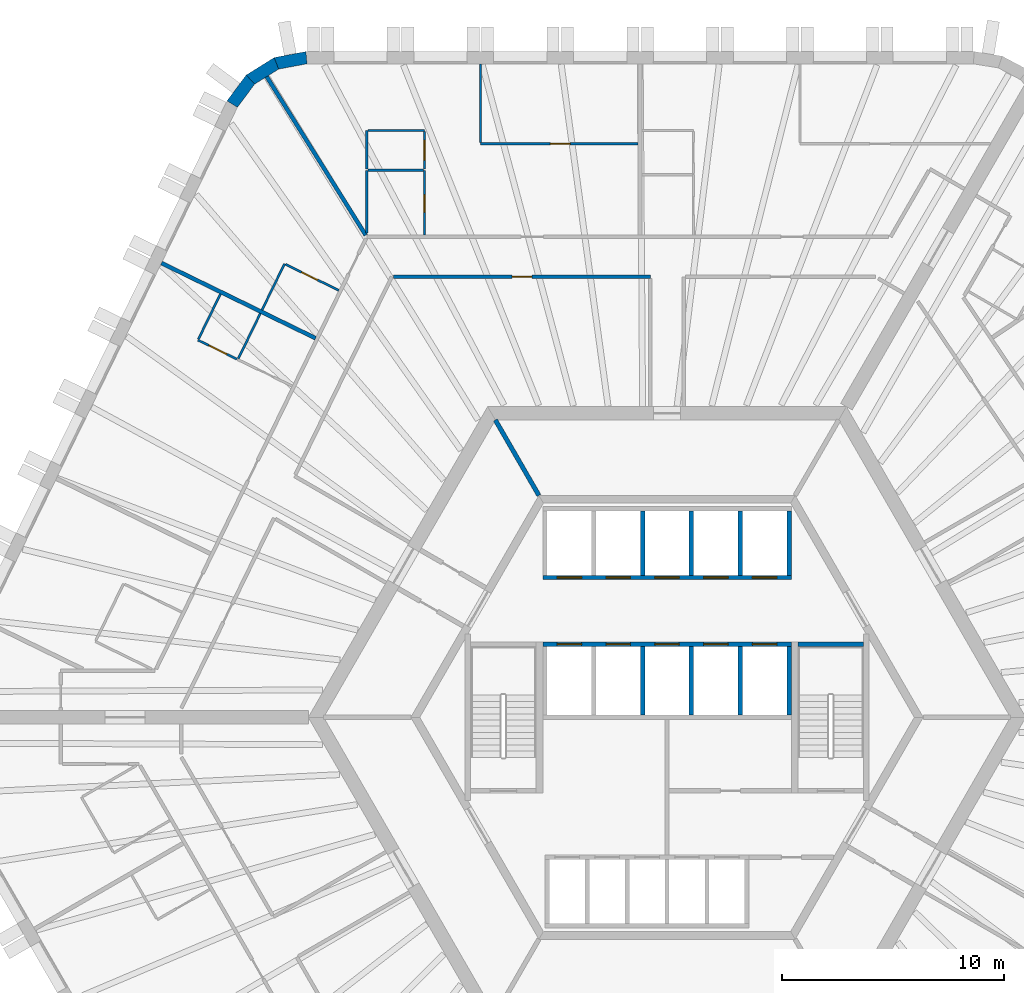
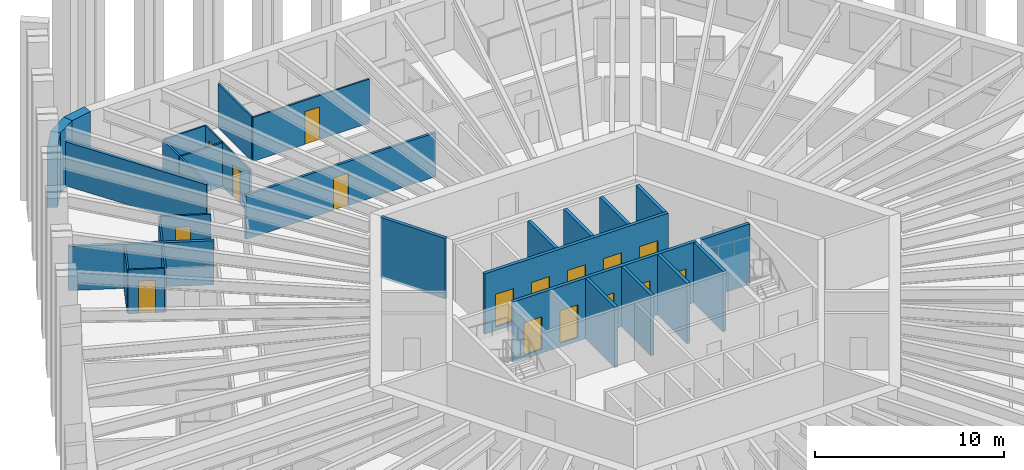
# One storey, part 8 of 13: 31 walls, 16 doors, 16 openings.
"""IFC4 building model written with IfcOpenShell, lengths in metres."""

from ifc_helpers import new_model, si_unit, direction, frame, frame_2d, origin, place, context, subcontext, project, spatial, polyline, rectangle, outline, extrude, material, layer, layer_set, type_object, element, fill, save


model = new_model("IFC4")

# Units and contexts
model_context = context("Model", 3, precision=1e-05, world=origin(), true_north=direction((0.0, 1.0)))
body_context = subcontext(model_context, "Body", "Model", "MODEL_VIEW")
ifc_project = project(units=[si_unit("LENGTHUNIT", "METRE"), si_unit("AREAUNIT", "SQUARE_METRE"), si_unit("VOLUMEUNIT", "CUBIC_METRE"), si_unit("PLANEANGLEUNIT", "RADIAN"), si_unit("MASSUNIT", "GRAM", prefix="KILO")], contexts=[model_context])

# Site, building, storey
site_placement = place(None, origin())
site = spatial("IfcSite", under=ifc_project, at=site_placement, CompositionType="ELEMENT")
building_placement = place(site_placement, origin())
building = spatial("IfcBuilding", under=site, at=building_placement, Name="Tarnside Tower", CompositionType="ELEMENT")
storey_placement = place(building_placement, frame((0.0, 0.0, 135.0)))
storey = spatial("IfcBuildingStorey", under=building, at=storey_placement, Name="L31", CompositionType="ELEMENT", Elevation=135.0)

# Wall
ifc_material_1 = material(Name="Gypsum board partition on steel studs", Category="steel")
ifc_layer_1 = layer(ifc_material_1, 0.10009765625)
ifc_layer_set_1 = layer_set([ifc_layer_1], Name="Bathroom wall 100")
wall_type_1 = type_object("IfcWallType", Name="Bathroom wall 100", PredefinedType="PARTITIONING", material=ifc_layer_set_1)
wall_1_placement = place(storey_placement, frame((-13.5283203125, 21.821044921875, 0.0), z_axis=(0.0, 0.0, 1.0), x_axis=(0.0, 1.0, 0.0)))
element("IfcWall", 1, at=wall_1_placement, inside=storey, type_object=wall_type_1, Name="Bathroom wall 10086", PredefinedType="PARTITIONING", context=body_context, shape_type="SweptSolid", body=[
    extrude(rectangle(XDim=2.828857421875, YDim=0.10009765625, at=frame_2d((1.41455078125, 0.0))), origin(), (0.0, 0.0, 1.0), 2.837890625),
])

# Wall, opening, door
wall_2_placement = place(storey_placement, frame((-10.928466796875, 24.64990234375, 0.0), z_axis=(0.0, 0.0, 1.0), x_axis=(0.0, -1.0, 0.0)))
wall_2 = element("IfcWall", 2, at=wall_2_placement, inside=storey, type_object=wall_type_1, Name="Bathroom wall 10087", PredefinedType="PARTITIONING", context=body_context, shape_type="SweptSolid", body=[
    extrude(rectangle(XDim=2.9248046875, YDim=0.10009765625, at=frame_2d((1.46240234375, 0.0))), origin(), (0.0, 0.0, 1.0), 2.837890625),
])
opening_1_placement = place(wall_2_placement, frame((1.10009765625, 0.0, 0.0)))
opening_1 = element("IfcOpeningElement", 3, at=opening_1_placement, cuts=wall_2, Name="Opening D-B1", PredefinedType="OPENING", context=body_context, shape_type="SweptSolid", body=[
    extrude(rectangle(XDim=0.800048828125, YDim=2.10009765625, at=frame_2d((0.39990234375, 1.050048828125))), frame((0.0, 0.06005859375, 0.0), z_axis=(0.0, -1.0, 0.0), x_axis=(1.0, 0.0, 0.0)), (0.0, 0.0, 1.0), 0.1201171875),
])
ifc_material_2 = material(Name="Timber door leaf", Category="wood")
door_type_1 = type_object("IfcDoorType", Name="Bathroom door 800", OperationType="NOTDEFINED", PredefinedType="DOOR", material=ifc_material_2)
door_1_placement = place(opening_1_placement, origin())
door_1 = element("IfcDoor", 4, at=door_1_placement, inside=storey, type_object=door_type_1, Name="Bathroom door 10006", OperationType="SINGLE_SWING_LEFT", OverallHeight=2.10009765625, OverallWidth=0.800048828125, PredefinedType="DOOR", context=body_context, shape_type="SweptSolid", body=[
    extrude(rectangle(XDim=0.800048828125, YDim=2.10009765625, at=frame_2d((0.39990234375, 1.050048828125))), frame((0.0, 0.02490234375, 0.0), z_axis=(0.0, -1.0, 0.0), x_axis=(1.0, 0.0, 0.0)), (0.0, 0.0, 1.0), 0.050048828125),
])
fill(opening_1, door_1)

# Walls
wall_3_placement = place(storey_placement, frame((-10.978515625, 24.64990234375, 0.0), z_axis=(0.0, 0.0, 1.0), x_axis=(-1.0, 0.0, 0.0)))
element("IfcWall", 5, at=wall_3_placement, inside=storey, type_object=wall_type_1, Name="Bathroom wall 10094", PredefinedType="PARTITIONING", context=body_context, shape_type="SweptSolid", body=[
    extrude(rectangle(XDim=2.5, YDim=0.10009765625, at=frame_2d((1.25, 0.0))), origin(), (0.0, 0.0, 1.0), 2.837890625),
])
wall_4_placement = place(storey_placement, frame((-18.248779296875, 18.35888671875, 0.0), z_axis=(0.0, 0.0, 1.0), x_axis=(0.438313261974, 0.898822276303, 0.0)))
element("IfcWall", 6, at=wall_4_placement, inside=storey, type_object=wall_type_1, Name="Bathroom wall 10095", PredefinedType="PARTITIONING", context=body_context, shape_type="SweptSolid", body=[
    extrude(rectangle(XDim=2.309814453125, YDim=0.10009765625, at=frame_2d((1.15478515625, 0.0))), origin(), (0.0, 0.0, 1.0), 2.837890625),
])

# Wall, opening, door
wall_5_placement = place(storey_placement, frame((-17.19140625, 20.4130859375, 0.0), z_axis=(0.0, 0.0, 1.0), x_axis=(0.898800897694, -0.438357099068, 0.0)))
wall_5 = element("IfcWall", 7, at=wall_5_placement, inside=storey, type_object=wall_type_1, Name="Bathroom wall 10096", PredefinedType="PARTITIONING", context=body_context, shape_type="SweptSolid", body=[
    extrude(rectangle(XDim=2.675048828125, YDim=0.10009765625, at=frame_2d((1.33740234375, 0.0))), origin(), (0.0, 0.0, 1.0), 2.837890625),
])
opening_2_placement = place(wall_5_placement, frame((0.81005859375, 0.0, 0.0)))
opening_2 = element("IfcOpeningElement", 8, at=opening_2_placement, cuts=wall_5, Name="Opening D-B1", PredefinedType="OPENING", context=body_context, shape_type="SweptSolid", body=[
    extrude(rectangle(XDim=0.800048828125, YDim=2.10009765625, at=frame_2d((0.39990234375, 1.050048828125))), frame((0.0, 0.06005859375, 0.0), z_axis=(0.0, -1.0, 0.0), x_axis=(1.0, 0.0, 0.0)), (0.0, 0.0, 1.0), 0.1201171875),
])
door_2_placement = place(opening_2_placement, origin())
door_2 = element("IfcDoor", 9, at=door_2_placement, inside=storey, type_object=door_type_1, Name="Bathroom door 10010", OperationType="SINGLE_SWING_RIGHT", OverallHeight=2.10009765625, OverallWidth=0.800048828125, PredefinedType="DOOR", context=body_context, shape_type="SweptSolid", body=[
    extrude(rectangle(XDim=0.800048828125, YDim=2.10009765625, at=frame_2d((0.39990234375, 1.050048828125))), frame((0.0, 0.02490234375, 0.0), z_axis=(0.0, -1.0, 0.0), x_axis=(1.0, 0.0, 0.0)), (0.0, 0.0, 1.0), 0.050048828125),
])
fill(opening_2, door_2)

# Wall
wall_6_placement = place(storey_placement, frame((-18.327880859375, 18.197021484375, 0.0), z_axis=(0.0, 0.0, 1.0), x_axis=(-0.438376807268, -0.898791285477, 0.0)))
element("IfcWall", 10, at=wall_6_placement, inside=storey, type_object=wall_type_1, Name="Bathroom wall 10104", PredefinedType="PARTITIONING", context=body_context, shape_type="SweptSolid", body=[
    extrude(rectangle(XDim=2.260009765625, YDim=0.10009765625, at=frame_2d((1.1298828125, 0.0))), origin(), (0.0, 0.0, 1.0), 2.837890625),
])

# Wall, opening, door
ifc_layer_2 = layer(ifc_material_1, 0.14990234375)
ifc_layer_set_2 = layer_set([ifc_layer_2], Name="Corridor wall 150 EI 60")
wall_type_2 = type_object("IfcWallType", Name="Corridor wall 150 EI 60", PredefinedType="PARTITIONING", material=ifc_layer_set_2)
wall_7_placement = place(storey_placement, frame((-12.3203125, 19.85009765625, 0.0), z_axis=(0.0, 0.0, 1.0), x_axis=(1.0, 0.0, 0.0)))
wall_7 = element("IfcWall", 11, at=wall_7_placement, inside=storey, type_object=wall_type_2, Name="Corridor wall 10018", PredefinedType="PARTITIONING", context=body_context, shape_type="SweptSolid", body=[
    extrude(rectangle(XDim=11.5703125, YDim=0.14990234375, at=frame_2d((5.78515625, 0.0))), origin(), (0.0, 0.0, 1.0), 2.837890625),
])
opening_3_placement = place(wall_7_placement, frame((5.335205078125, 0.0, 0.0)))
opening_3 = element("IfcOpeningElement", 12, at=opening_3_placement, cuts=wall_7, Name="Opening D-S1", PredefinedType="OPENING", context=body_context, shape_type="SweptSolid", body=[
    extrude(rectangle(XDim=0.89990234375, YDim=2.10009765625, at=frame_2d((0.449951171875, 1.050048828125))), frame((0.0, 0.0849609375, 0.0), z_axis=(0.0, -1.0, 0.0), x_axis=(1.0, 0.0, 0.0)), (0.0, 0.0, 1.0), 0.169921875),
])
door_type_2 = type_object("IfcDoorType", Name="Service room door 900 FD30S", OperationType="NOTDEFINED", PredefinedType="DOOR", material=ifc_material_2)
door_3_placement = place(opening_3_placement, origin())
door_3 = element("IfcDoor", 13, at=door_3_placement, inside=storey, type_object=door_type_2, Name="Service door 10042", OperationType="SINGLE_SWING_RIGHT", OverallHeight=2.10009765625, OverallWidth=0.89990234375, PredefinedType="DOOR", context=body_context, shape_type="SweptSolid", body=[
    extrude(rectangle(XDim=0.89990234375, YDim=2.10009765625, at=frame_2d((0.449951171875, 1.050048828125))), frame((0.0, 0.02490234375, 0.0), z_axis=(0.0, -1.0, 0.0), x_axis=(1.0, 0.0, 0.0)), (0.0, 0.0, 1.0), 0.050048828125),
])
fill(opening_3, door_3)

# Walls
ifc_layer_3 = layer(ifc_material_1, 0.179931640625)
ifc_layer_set_3 = layer_set([ifc_layer_3], Name="Demising wall 180 EI 60")
wall_type_3 = type_object("IfcWallType", Name="Demising wall 180 EI 60", PredefinedType="PARTITIONING", material=ifc_layer_set_3)
wall_8_placement = place(storey_placement, frame((-18.040771484375, 28.87109375, 0.0), z_axis=(0.0, 0.0, 1.0), x_axis=(0.52994164425, -0.848034111159, 0.0)))
element("IfcWall", 14, at=wall_8_placement, inside=storey, type_object=wall_type_3, Name="Demising wall 10093", PredefinedType="PARTITIONING", context=body_context, shape_type="SweptSolid", body=[
    extrude(rectangle(XDim=8.426513671875, YDim=0.179931640625, at=frame_2d((4.21337890625, 0.0))), origin(), (0.0, 0.0, 1.0), 2.837890625),
])
wall_9_placement = place(storey_placement, frame((-22.7822265625, 20.469970703125, 0.0), z_axis=(0.0, 0.0, 1.0), x_axis=(0.898789402655, -0.438380667542, 0.0)))
element("IfcWall", 15, at=wall_9_placement, inside=storey, type_object=wall_type_3, Name="Demising wall 10097", PredefinedType="PARTITIONING", context=body_context, shape_type="SweptSolid", body=[
    extrude(rectangle(XDim=7.724853515625, YDim=0.179931640625, at=frame_2d((3.8623046875, 0.0))), origin(), (0.0, 0.0, 1.0), 2.837890625),
])

# Wall, openings, doors
ifc_material_3 = material(Name="Concrete C40/50", Category="concrete")
ifc_layer_4 = layer(ifc_material_3, 0.199951171875)
ifc_layer_set_4 = layer_set([ifc_layer_4], Name="Lift shaft wall 200 C40/50")
wall_type_4 = type_object("IfcWallType", Name="Lift shaft wall 200 C40/50", PredefinedType="SHEAR", material=ifc_layer_set_4)
wall_10_placement = place(storey_placement, frame((-5.60009765625, 6.300048828125, -0.25), z_axis=(0.0, 0.0, 1.0), x_axis=(1.0, 0.0, 0.0)))
wall_10 = element("IfcWall", 16, at=wall_10_placement, inside=storey, type_object=wall_type_4, Name="L31 lift shaft front wall R1", PredefinedType="SHEAR", context=body_context, shape_type="SweptSolid", body=[
    extrude(rectangle(XDim=11.2001953125, YDim=0.199951171875, at=frame_2d((5.60009765625, 0.0))), origin(), (0.0, 0.0, 1.0), 3.89990234375),
])
opening_4_placement = place(wall_10_placement, frame((0.64990234375, 0.0, 0.25)))
opening_4 = element("IfcOpeningElement", 17, at=opening_4_placement, cuts=wall_10, Name="Opening LD", PredefinedType="OPENING", context=body_context, shape_type="SweptSolid", body=[
    extrude(rectangle(XDim=1.10009765625, YDim=2.10009765625, at=frame_2d((0.550048828125, 1.050048828125))), frame((0.0, 0.10986328125, 0.0), z_axis=(0.0, -1.0, 0.0), x_axis=(1.0, 0.0, 0.0)), (0.0, 0.0, 1.0), 0.219970703125),
])
opening_5_placement = place(wall_10_placement, frame((2.85009765625, 0.0, 0.25)))
opening_5 = element("IfcOpeningElement", 18, at=opening_5_placement, cuts=wall_10, Name="Opening LD", PredefinedType="OPENING", context=body_context, shape_type="SweptSolid", body=[
    extrude(rectangle(XDim=1.10009765625, YDim=2.10009765625, at=frame_2d((0.550048828125, 1.050048828125))), frame((0.0, 0.10986328125, 0.0), z_axis=(0.0, -1.0, 0.0), x_axis=(1.0, 0.0, 0.0)), (0.0, 0.0, 1.0), 0.219970703125),
])
opening_6_placement = place(wall_10_placement, frame((5.050048828125, 0.0, 0.25)))
opening_6 = element("IfcOpeningElement", 19, at=opening_6_placement, cuts=wall_10, Name="Opening LD", PredefinedType="OPENING", context=body_context, shape_type="SweptSolid", body=[
    extrude(rectangle(XDim=1.10009765625, YDim=2.10009765625, at=frame_2d((0.550048828125, 1.050048828125))), frame((0.0, 0.10986328125, 0.0), z_axis=(0.0, -1.0, 0.0), x_axis=(1.0, 0.0, 0.0)), (0.0, 0.0, 1.0), 0.219970703125),
])
opening_7_placement = place(wall_10_placement, frame((7.25, 0.0, 0.25)))
opening_7 = element("IfcOpeningElement", 20, at=opening_7_placement, cuts=wall_10, Name="Opening LD", PredefinedType="OPENING", context=body_context, shape_type="SweptSolid", body=[
    extrude(rectangle(XDim=1.10009765625, YDim=2.10009765625, at=frame_2d((0.550048828125, 1.050048828125))), frame((0.0, 0.10986328125, 0.0), z_axis=(0.0, -1.0, 0.0), x_axis=(1.0, 0.0, 0.0)), (0.0, 0.0, 1.0), 0.219970703125),
])
opening_8_placement = place(wall_10_placement, frame((9.449951171875, 0.0, 0.25)))
opening_8 = element("IfcOpeningElement", 21, at=opening_8_placement, cuts=wall_10, Name="Opening LD", PredefinedType="OPENING", context=body_context, shape_type="SweptSolid", body=[
    extrude(rectangle(XDim=1.10009765625, YDim=2.10009765625, at=frame_2d((0.550048828125, 1.050048828125))), frame((0.0, 0.10986328125, 0.0), z_axis=(0.0, -1.0, 0.0), x_axis=(1.0, 0.0, 0.0)), (0.0, 0.0, 1.0), 0.219970703125),
])
ifc_material_4 = material(Name="Stainless steel", Category="steel")
door_type_3 = type_object("IfcDoorType", Name="Lift landing door 1100x2100", OperationType="NOTDEFINED", PredefinedType="DOOR", material=ifc_material_4)
door_4_placement = place(opening_4_placement, origin())
door_4 = element("IfcDoor", 22, at=door_4_placement, inside=storey, type_object=door_type_3, Name="Low-rise lift 1 landing door L31", OperationType="SLIDING_TO_LEFT", OverallHeight=2.10009765625, OverallWidth=1.10009765625, PredefinedType="DOOR", context=body_context, shape_type="SweptSolid", body=[
    extrude(rectangle(XDim=1.10009765625, YDim=2.10009765625, at=frame_2d((0.550048828125, 1.050048828125))), frame((0.0, 0.02490234375, 0.0), z_axis=(0.0, -1.0, 0.0), x_axis=(1.0, 0.0, 0.0)), (0.0, 0.0, 1.0), 0.050048828125),
])
fill(opening_4, door_4)
door_5_placement = place(opening_5_placement, origin())
door_5 = element("IfcDoor", 23, at=door_5_placement, inside=storey, type_object=door_type_3, Name="Low-rise lift 2 landing door L31", OperationType="SLIDING_TO_LEFT", OverallHeight=2.10009765625, OverallWidth=1.10009765625, PredefinedType="DOOR", context=body_context, shape_type="SweptSolid", body=[
    extrude(rectangle(XDim=1.10009765625, YDim=2.10009765625, at=frame_2d((0.550048828125, 1.050048828125))), frame((0.0, 0.02490234375, 0.0), z_axis=(0.0, -1.0, 0.0), x_axis=(1.0, 0.0, 0.0)), (0.0, 0.0, 1.0), 0.050048828125),
])
fill(opening_5, door_5)
door_6_placement = place(opening_6_placement, origin())
door_6 = element("IfcDoor", 24, at=door_6_placement, inside=storey, type_object=door_type_3, Name="Low-rise lift 3 landing door L31", OperationType="SLIDING_TO_LEFT", OverallHeight=2.10009765625, OverallWidth=1.10009765625, PredefinedType="DOOR", context=body_context, shape_type="SweptSolid", body=[
    extrude(rectangle(XDim=1.10009765625, YDim=2.10009765625, at=frame_2d((0.550048828125, 1.050048828125))), frame((0.0, 0.02490234375, 0.0), z_axis=(0.0, -1.0, 0.0), x_axis=(1.0, 0.0, 0.0)), (0.0, 0.0, 1.0), 0.050048828125),
])
fill(opening_6, door_6)
door_7_placement = place(opening_7_placement, origin())
door_7 = element("IfcDoor", 25, at=door_7_placement, inside=storey, type_object=door_type_3, Name="Low sky-lobby shuttle 1 landing door L31", OperationType="SLIDING_TO_LEFT", OverallHeight=2.10009765625, OverallWidth=1.10009765625, PredefinedType="DOOR", context=body_context, shape_type="SweptSolid", body=[
    extrude(rectangle(XDim=1.10009765625, YDim=2.10009765625, at=frame_2d((0.550048828125, 1.050048828125))), frame((0.0, 0.02490234375, 0.0), z_axis=(0.0, -1.0, 0.0), x_axis=(1.0, 0.0, 0.0)), (0.0, 0.0, 1.0), 0.050048828125),
])
fill(opening_7, door_7)
door_8_placement = place(opening_8_placement, origin())
door_8 = element("IfcDoor", 26, at=door_8_placement, inside=storey, type_object=door_type_3, Name="Low sky-lobby shuttle 2 landing door L31", OperationType="SLIDING_TO_LEFT", OverallHeight=2.10009765625, OverallWidth=1.10009765625, PredefinedType="DOOR", context=body_context, shape_type="SweptSolid", body=[
    extrude(rectangle(XDim=1.10009765625, YDim=2.10009765625, at=frame_2d((0.550048828125, 1.050048828125))), frame((0.0, 0.02490234375, 0.0), z_axis=(0.0, -1.0, 0.0), x_axis=(1.0, 0.0, 0.0)), (0.0, 0.0, 1.0), 0.050048828125),
])
fill(opening_8, door_8)

# Walls
for number, where, z_axis, x_axis, name in (
    (27, (-1.10009765625, 6.39990234375, -0.25), (0.0, 0.0, 1.0), (0.0, 1.0, 0.0), "L31 lift shaft partition R13"),
    (28, (1.10009765625, 6.39990234375, -0.25), (0.0, 0.0, 1.0), (0.0, 1.0, 0.0), "L31 lift shaft partition R14"),
    (29, (3.300048828125, 6.39990234375, -0.25), (0.0, 0.0, 1.0), (0.0, 1.0, 0.0), "L31 lift shaft partition R15"),
    (30, (5.5, 6.39990234375, -0.25), (0.0, 0.0, 1.0), (0.0, 1.0, 0.0), "L31 lift shaft partition R16"),
):
    element("IfcWall", number, at=place(storey_placement, frame(where, z_axis=z_axis, x_axis=x_axis)), inside=storey, type_object=wall_type_4, Name=name, PredefinedType="SHEAR", context=body_context, shape_type="SweptSolid", body=[
        extrude(rectangle(XDim=2.900146484375, YDim=0.199951171875, at=frame_2d((1.4501953125, 0.0))), origin(), (0.0, 0.0, 1.0), 3.89990234375),
    ])

# Wall, openings, doors
wall_11_placement = place(storey_placement, frame((-5.60009765625, 3.300048828125, -0.25), z_axis=(0.0, 0.0, 1.0), x_axis=(1.0, 0.0, 0.0)))
wall_11 = element("IfcWall", 31, at=wall_11_placement, inside=storey, type_object=wall_type_4, Name="L31 lift shaft front wall R2", PredefinedType="SHEAR", context=body_context, shape_type="SweptSolid", body=[
    extrude(rectangle(XDim=11.2001953125, YDim=0.199951171875, at=frame_2d((5.60009765625, 0.0))), origin(), (0.0, 0.0, 1.0), 3.89990234375),
])
opening_9_placement = place(wall_11_placement, frame((0.64990234375, 0.0, 0.25)))
opening_9 = element("IfcOpeningElement", 32, at=opening_9_placement, cuts=wall_11, Name="Opening LD", PredefinedType="OPENING", context=body_context, shape_type="SweptSolid", body=[
    extrude(rectangle(XDim=1.10009765625, YDim=2.10009765625, at=frame_2d((0.550048828125, 1.050048828125))), frame((0.0, 0.10986328125, 0.0), z_axis=(0.0, -1.0, 0.0), x_axis=(1.0, 0.0, 0.0)), (0.0, 0.0, 1.0), 0.219970703125),
])
opening_10_placement = place(wall_11_placement, frame((2.85009765625, 0.0, 0.25)))
opening_10 = element("IfcOpeningElement", 33, at=opening_10_placement, cuts=wall_11, Name="Opening LD", PredefinedType="OPENING", context=body_context, shape_type="SweptSolid", body=[
    extrude(rectangle(XDim=1.10009765625, YDim=2.10009765625, at=frame_2d((0.550048828125, 1.050048828125))), frame((0.0, 0.10986328125, 0.0), z_axis=(0.0, -1.0, 0.0), x_axis=(1.0, 0.0, 0.0)), (0.0, 0.0, 1.0), 0.219970703125),
])
opening_11_placement = place(wall_11_placement, frame((5.050048828125, 0.0, 0.25)))
opening_11 = element("IfcOpeningElement", 34, at=opening_11_placement, cuts=wall_11, Name="Opening LD", PredefinedType="OPENING", context=body_context, shape_type="SweptSolid", body=[
    extrude(rectangle(XDim=1.10009765625, YDim=2.10009765625, at=frame_2d((0.550048828125, 1.050048828125))), frame((0.0, 0.10986328125, 0.0), z_axis=(0.0, -1.0, 0.0), x_axis=(1.0, 0.0, 0.0)), (0.0, 0.0, 1.0), 0.219970703125),
])
opening_12_placement = place(wall_11_placement, frame((7.25, 0.0, 0.25)))
opening_12 = element("IfcOpeningElement", 35, at=opening_12_placement, cuts=wall_11, Name="Opening LD", PredefinedType="OPENING", context=body_context, shape_type="SweptSolid", body=[
    extrude(rectangle(XDim=1.10009765625, YDim=2.10009765625, at=frame_2d((0.550048828125, 1.050048828125))), frame((0.0, 0.10986328125, 0.0), z_axis=(0.0, -1.0, 0.0), x_axis=(1.0, 0.0, 0.0)), (0.0, 0.0, 1.0), 0.219970703125),
])
opening_13_placement = place(wall_11_placement, frame((9.449951171875, 0.0, 0.25)))
opening_13 = element("IfcOpeningElement", 36, at=opening_13_placement, cuts=wall_11, Name="Opening LD", PredefinedType="OPENING", context=body_context, shape_type="SweptSolid", body=[
    extrude(rectangle(XDim=1.10009765625, YDim=2.10009765625, at=frame_2d((0.550048828125, 1.050048828125))), frame((0.0, 0.10986328125, 0.0), z_axis=(0.0, -1.0, 0.0), x_axis=(1.0, 0.0, 0.0)), (0.0, 0.0, 1.0), 0.219970703125),
])
door_9_placement = place(opening_9_placement, origin())
door_9 = element("IfcDoor", 37, at=door_9_placement, inside=storey, type_object=door_type_3, Name="Low-rise lift 4 landing door L31", OperationType="SLIDING_TO_LEFT", OverallHeight=2.10009765625, OverallWidth=1.10009765625, PredefinedType="DOOR", context=body_context, shape_type="SweptSolid", body=[
    extrude(rectangle(XDim=1.10009765625, YDim=2.10009765625, at=frame_2d((0.550048828125, 1.050048828125))), frame((0.0, 0.02490234375, 0.0), z_axis=(0.0, -1.0, 0.0), x_axis=(1.0, 0.0, 0.0)), (0.0, 0.0, 1.0), 0.050048828125),
])
fill(opening_9, door_9)
door_10_placement = place(opening_10_placement, origin())
door_10 = element("IfcDoor", 38, at=door_10_placement, inside=storey, type_object=door_type_3, Name="Low-rise lift 5 landing door L31", OperationType="SLIDING_TO_LEFT", OverallHeight=2.10009765625, OverallWidth=1.10009765625, PredefinedType="DOOR", context=body_context, shape_type="SweptSolid", body=[
    extrude(rectangle(XDim=1.10009765625, YDim=2.10009765625, at=frame_2d((0.550048828125, 1.050048828125))), frame((0.0, 0.02490234375, 0.0), z_axis=(0.0, -1.0, 0.0), x_axis=(1.0, 0.0, 0.0)), (0.0, 0.0, 1.0), 0.050048828125),
])
fill(opening_10, door_10)
door_11_placement = place(opening_11_placement, origin())
door_11 = element("IfcDoor", 39, at=door_11_placement, inside=storey, type_object=door_type_3, Name="Low-rise lift 6 landing door L31", OperationType="SLIDING_TO_LEFT", OverallHeight=2.10009765625, OverallWidth=1.10009765625, PredefinedType="DOOR", context=body_context, shape_type="SweptSolid", body=[
    extrude(rectangle(XDim=1.10009765625, YDim=2.10009765625, at=frame_2d((0.550048828125, 1.050048828125))), frame((0.0, 0.02490234375, 0.0), z_axis=(0.0, -1.0, 0.0), x_axis=(1.0, 0.0, 0.0)), (0.0, 0.0, 1.0), 0.050048828125),
])
fill(opening_11, door_11)
door_12_placement = place(opening_12_placement, origin())
door_12 = element("IfcDoor", 40, at=door_12_placement, inside=storey, type_object=door_type_3, Name="High sky-lobby shuttle 1 landing door L31", OperationType="SLIDING_TO_LEFT", OverallHeight=2.10009765625, OverallWidth=1.10009765625, PredefinedType="DOOR", context=body_context, shape_type="SweptSolid", body=[
    extrude(rectangle(XDim=1.10009765625, YDim=2.10009765625, at=frame_2d((0.550048828125, 1.050048828125))), frame((0.0, 0.02490234375, 0.0), z_axis=(0.0, -1.0, 0.0), x_axis=(1.0, 0.0, 0.0)), (0.0, 0.0, 1.0), 0.050048828125),
])
fill(opening_12, door_12)
door_13_placement = place(opening_13_placement, origin())
door_13 = element("IfcDoor", 41, at=door_13_placement, inside=storey, type_object=door_type_3, Name="Express sky-lobby shuttle 2 landing door L31", OperationType="SLIDING_TO_LEFT", OverallHeight=2.10009765625, OverallWidth=1.10009765625, PredefinedType="DOOR", context=body_context, shape_type="SweptSolid", body=[
    extrude(rectangle(XDim=1.10009765625, YDim=2.10009765625, at=frame_2d((0.550048828125, 1.050048828125))), frame((0.0, 0.02490234375, 0.0), z_axis=(0.0, -1.0, 0.0), x_axis=(1.0, 0.0, 0.0)), (0.0, 0.0, 1.0), 0.050048828125),
])
fill(opening_13, door_13)

# Walls
for number, where, z_axis, x_axis, name in (
    (42, (-1.10009765625, 0.10009765625, -0.25), (0.0, 0.0, 1.0), (0.0, 1.0, 0.0), "L31 lift shaft partition R23"),
    (43, (1.10009765625, 0.10009765625, -0.25), (0.0, 0.0, 1.0), (0.0, 1.0, 0.0), "L31 lift shaft partition R24"),
    (44, (3.300048828125, 0.10009765625, -0.25), (0.0, 0.0, 1.0), (0.0, 1.0, 0.0), "L31 lift shaft partition R25"),
    (45, (5.5, 0.10009765625, -0.25), (0.0, 0.0, 1.0), (0.0, 1.0, 0.0), "L31 lift shaft partition R26"),
):
    element("IfcWall", number, at=place(storey_placement, frame(where, z_axis=z_axis, x_axis=x_axis)), inside=storey, type_object=wall_type_4, Name=name, PredefinedType="SHEAR", context=body_context, shape_type="SweptSolid", body=[
        extrude(rectangle(XDim=3.099853515625, YDim=0.199951171875, at=frame_2d((1.5498046875, 0.0))), origin(), (0.0, 0.0, 1.0), 3.89990234375),
    ])
wall_12_placement = place(storey_placement, frame((-5.7734375, 10.0, -0.14990234375), z_axis=(0.0, 0.0, 1.0), x_axis=(-0.500038251005, 0.86600331843, 0.0)))
element("IfcWall", 46, at=wall_12_placement, inside=storey, type_object=wall_type_4, Name="L31 core partition AR120", PredefinedType="SHEAR", context=body_context, shape_type="SweptSolid", body=[
    extrude(rectangle(XDim=3.926025390625, YDim=0.199951171875, at=frame_2d((1.962890625, 0.0))), origin(), (0.0, 0.0, 1.0), 3.89990234375),
])
wall_13_placement = place(storey_placement, frame((5.89990234375, 3.300048828125, -0.25), z_axis=(0.0, 0.0, 1.0), x_axis=(1.0, 0.0, 0.0)))
element("IfcWall", 47, at=wall_13_placement, inside=storey, type_object=wall_type_4, Name="L31 stair 1 enclosure cap wall n", PredefinedType="SHEAR", context=body_context, shape_type="SweptSolid", body=[
    extrude(rectangle(XDim=2.9501953125, YDim=0.199951171875, at=frame_2d((1.47509765625, 0.0))), origin(), (0.0, 0.0, 1.0), 3.89990234375),
])
ifc_layer_5 = layer(ifc_material_1, 0.10009765625)
ifc_layer_set_5 = layer_set([ifc_layer_5], Name="Partition 100")
wall_type_5 = type_object("IfcWallType", Name="Partition 100", PredefinedType="PARTITIONING", material=ifc_layer_set_5)
wall_14_placement = place(storey_placement, frame((-13.5283203125, 24.699951171875, 0.0), z_axis=(0.0, 0.0, 1.0), x_axis=(0.0, 1.0, 0.0)))
element("IfcWall", 48, at=wall_14_placement, inside=storey, type_object=wall_type_5, Name="Partition wall 10088", PredefinedType="PARTITIONING", context=body_context, shape_type="SweptSolid", body=[
    extrude(rectangle(XDim=1.75, YDim=0.10009765625, at=frame_2d((0.875, 0.0))), origin(), (0.0, 0.0, 1.0), 2.837890625),
])
wall_15_placement = place(storey_placement, frame((-13.478515625, 26.449951171875, 0.0), z_axis=(0.0, 0.0, 1.0), x_axis=(1.0, 0.0, 0.0)))
element("IfcWall", 49, at=wall_15_placement, inside=storey, type_object=wall_type_5, Name="Partition wall 10089", PredefinedType="PARTITIONING", context=body_context, shape_type="SweptSolid", body=[
    extrude(rectangle(XDim=2.550048828125, YDim=0.10009765625, at=frame_2d((1.27490234375, 0.0))), origin(), (0.0, 0.0, 1.0), 2.837890625),
])

# Wall, opening, door
wall_16_placement = place(storey_placement, frame((-10.928466796875, 26.39990234375, 0.0), z_axis=(0.0, 0.0, 1.0), x_axis=(0.0, -1.0, 0.0)))
wall_16 = element("IfcWall", 50, at=wall_16_placement, inside=storey, type_object=wall_type_5, Name="Partition wall 10090", PredefinedType="PARTITIONING", context=body_context, shape_type="SweptSolid", body=[
    extrude(rectangle(XDim=1.699951171875, YDim=0.10009765625, at=frame_2d((0.85009765625, 0.0))), origin(), (0.0, 0.0, 1.0), 2.837890625),
])
opening_14_placement = place(wall_16_placement, frame((0.39990234375, 0.0, 0.0)))
opening_14 = element("IfcOpeningElement", 51, at=opening_14_placement, cuts=wall_16, Name="Opening D-I1", PredefinedType="OPENING", context=body_context, shape_type="SweptSolid", body=[
    extrude(rectangle(XDim=0.89990234375, YDim=2.10009765625, at=frame_2d((0.449951171875, 1.050048828125))), frame((0.0, 0.06005859375, 0.0), z_axis=(0.0, -1.0, 0.0), x_axis=(1.0, 0.0, 0.0)), (0.0, 0.0, 1.0), 0.1201171875),
])
door_type_4 = type_object("IfcDoorType", Name="Internal door 900", OperationType="NOTDEFINED", PredefinedType="DOOR", material=ifc_material_2)
door_14_placement = place(opening_14_placement, origin())
door_14 = element("IfcDoor", 52, at=door_14_placement, inside=storey, type_object=door_type_4, Name="Internal door 10007", OperationType="SINGLE_SWING_RIGHT", OverallHeight=2.10009765625, OverallWidth=0.89990234375, PredefinedType="DOOR", context=body_context, shape_type="SweptSolid", body=[
    extrude(rectangle(XDim=0.89990234375, YDim=2.10009765625, at=frame_2d((0.449951171875, 1.050048828125))), frame((0.0, 0.02490234375, 0.0), z_axis=(0.0, -1.0, 0.0), x_axis=(1.0, 0.0, 0.0)), (0.0, 0.0, 1.0), 0.050048828125),
])
fill(opening_14, door_14)

wall_17_placement = place(storey_placement, frame((-1.301025390625, 25.85009765625, 0.0), z_axis=(0.0, 0.0, 1.0), x_axis=(-1.0, 0.0, 0.0)))
wall_17 = element("IfcWall", 53, at=wall_17_placement, inside=storey, type_object=wall_type_5, Name="Partition wall 10091", PredefinedType="PARTITIONING", context=body_context, shape_type="SweptSolid", body=[
    extrude(rectangle(XDim=7.110107421875, YDim=0.10009765625, at=frame_2d((3.55517578125, 0.0))), origin(), (0.0, 0.0, 1.0), 2.837890625),
])
opening_15_placement = place(wall_17_placement, frame((3.06005859375, 0.0, 0.0)))
opening_15 = element("IfcOpeningElement", 54, at=opening_15_placement, cuts=wall_17, Name="Opening D-I1", PredefinedType="OPENING", context=body_context, shape_type="SweptSolid", body=[
    extrude(rectangle(XDim=0.89990234375, YDim=2.10009765625, at=frame_2d((0.449951171875, 1.050048828125))), frame((0.0, 0.06005859375, 0.0), z_axis=(0.0, -1.0, 0.0), x_axis=(1.0, 0.0, 0.0)), (0.0, 0.0, 1.0), 0.1201171875),
])
door_15_placement = place(opening_15_placement, origin())
door_15 = element("IfcDoor", 55, at=door_15_placement, inside=storey, type_object=door_type_4, Name="Internal door 10008", OperationType="SINGLE_SWING_RIGHT", OverallHeight=2.10009765625, OverallWidth=0.89990234375, PredefinedType="DOOR", context=body_context, shape_type="SweptSolid", body=[
    extrude(rectangle(XDim=0.89990234375, YDim=2.10009765625, at=frame_2d((0.449951171875, 1.050048828125))), frame((0.0, 0.02490234375, 0.0), z_axis=(0.0, -1.0, 0.0), x_axis=(1.0, 0.0, 0.0)), (0.0, 0.0, 1.0), 0.050048828125),
])
fill(opening_15, door_15)

# Wall
wall_18_placement = place(storey_placement, frame((-8.4111328125, 25.89990234375, 0.0), z_axis=(0.0, 0.0, 1.0), x_axis=(0.0, 1.0, 0.0)))
element("IfcWall", 56, at=wall_18_placement, inside=storey, type_object=wall_type_5, Name="Partition wall 10092", PredefinedType="PARTITIONING", context=body_context, shape_type="SweptSolid", body=[
    extrude(rectangle(XDim=3.550048828125, YDim=0.10009765625, at=frame_2d((1.77490234375, 0.0))), origin(), (0.0, 0.0, 1.0), 2.837890625),
])

# Wall, opening, door
wall_19_placement = place(storey_placement, frame((-19.38525390625, 16.142822265625, 0.0), z_axis=(0.0, 0.0, 1.0), x_axis=(-0.898815368173, 0.438327427772, 0.0)))
wall_19 = element("IfcWall", 57, at=wall_19_placement, inside=storey, type_object=wall_type_5, Name="Partition wall 10101", PredefinedType="PARTITIONING", context=body_context, shape_type="SweptSolid", body=[
    extrude(rectangle(XDim=1.949951171875, YDim=0.10009765625, at=frame_2d((0.97509765625, 0.0))), origin(), (0.0, 0.0, 1.0), 2.837890625),
])
opening_16_placement = place(wall_19_placement, frame((0.5, 0.0, 0.0)))
opening_16 = element("IfcOpeningElement", 58, at=opening_16_placement, cuts=wall_19, Name="Opening D-I1", PredefinedType="OPENING", context=body_context, shape_type="SweptSolid", body=[
    extrude(rectangle(XDim=0.89990234375, YDim=2.10009765625, at=frame_2d((0.449951171875, 1.050048828125))), frame((0.0, 0.06005859375, 0.0), z_axis=(0.0, -1.0, 0.0), x_axis=(1.0, 0.0, 0.0)), (0.0, 0.0, 1.0), 0.1201171875),
])
door_16_placement = place(opening_16_placement, origin())
door_16 = element("IfcDoor", 59, at=door_16_placement, inside=storey, type_object=door_type_4, Name="Internal door 10013", OperationType="SINGLE_SWING_LEFT", OverallHeight=2.10009765625, OverallWidth=0.89990234375, PredefinedType="DOOR", context=body_context, shape_type="SweptSolid", body=[
    extrude(rectangle(XDim=0.89990234375, YDim=2.10009765625, at=frame_2d((0.449951171875, 1.050048828125))), frame((0.0, 0.02490234375, 0.0), z_axis=(0.0, -1.0, 0.0), x_axis=(1.0, 0.0, 0.0)), (0.0, 0.0, 1.0), 0.050048828125),
])
fill(opening_16, door_16)

# Walls
wall_20_placement = place(storey_placement, frame((-21.1162109375, 17.04248046875, 0.0), z_axis=(0.0, 0.0, 1.0), x_axis=(0.438334246956, 0.898812042613, 0.0)))
element("IfcWall", 60, at=wall_20_placement, inside=storey, type_object=wall_type_5, Name="Partition wall 10102", PredefinedType="PARTITIONING", context=body_context, shape_type="SweptSolid", body=[
    extrude(rectangle(XDim=2.26025390625, YDim=0.10009765625, at=frame_2d((1.130126953125, 0.0))), origin(), (0.0, 0.0, 1.0), 2.837890625),
])
ifc_material_5 = material(Name="Facing brick", Category="masonry")
ifc_layer_6 = layer(ifc_material_5, 0.10205078125)
ifc_material_6 = material(Name="Concrete C60/75 precast", Category="concrete")
ifc_layer_7 = layer(ifc_material_6, 0.347900390625)
ifc_material_7 = material(Name="Mineral wool insulation")
ifc_layer_8 = layer(ifc_material_7, 0.10009765625)
ifc_layer_set_6 = layer_set([ifc_layer_6, ifc_layer_7, ifc_layer_8], Name="Tube wall 550 brick faced")
wall_type_6 = type_object("IfcWallType", Name="Tube wall 550 brick faced", PredefinedType="SOLIDWALL", material=ifc_layer_set_6)
wall_21_placement = place(storey_placement, frame((-16.24658203125, 29.72509765625, -0.14990234375), z_axis=(0.0, 0.0, 1.0), x_axis=(-0.982705443133, -0.185175624845, 0.0)))
element("IfcWall", 61, at=wall_21_placement, inside=storey, type_object=wall_type_6, Name="Tube wall L31 F1 chord 01", PredefinedType="SOLIDWALL", context=body_context, shape_type="SweptSolid", body=[
    extrude(outline(polyline([(-0.025634765625, -0.27490234375), (1.430908203125, -0.27490234375), (1.327392578125, 0.27490234375), (0.025634765625, 0.27490234375), (-0.025634765625, -0.27490234375)])), origin(), (0.0, 0.0, 1.0), 3.89990234375),
])
wall_22_placement = place(storey_placement, frame((-17.601806640625, 29.4697265625, -0.14990234375), z_axis=(0.0, 0.0, 1.0), x_axis=(-0.848057977594, -0.5299034503, 0.0)))
element("IfcWall", 62, at=wall_22_placement, inside=storey, type_object=wall_type_6, Name="Tube wall L31 F1 chord 02", PredefinedType="SOLIDWALL", context=body_context, shape_type="SweptSolid", body=[
    extrude(outline(polyline([(-0.0517578125, -0.27490234375), (1.4306640625, -0.27490234375), (1.3271484375, 0.27490234375), (0.0517578125, 0.27490234375), (-0.0517578125, -0.27490234375)])), origin(), (0.0, 0.0, 1.0), 3.89990234375),
])
wall_23_placement = place(storey_placement, frame((-18.771240234375, 28.739013671875, -0.14990234375), z_axis=(0.0, 0.0, 1.0), x_axis=(-0.597135295884, -0.802140535324, 0.0)))
element("IfcWall", 63, at=wall_23_placement, inside=storey, type_object=wall_type_6, Name="Tube wall L31 F1 chord 03", PredefinedType="SOLIDWALL", context=body_context, shape_type="SweptSolid", body=[
    extrude(outline(polyline([(-0.0517578125, -0.27490234375), (1.40478515625, -0.27490234375), (1.353515625, 0.27490234375), (0.0517578125, 0.27490234375), (-0.0517578125, -0.27490234375)])), origin(), (0.0, 0.0, 1.0), 3.89990234375),
])

save(model, "model.ifc")
